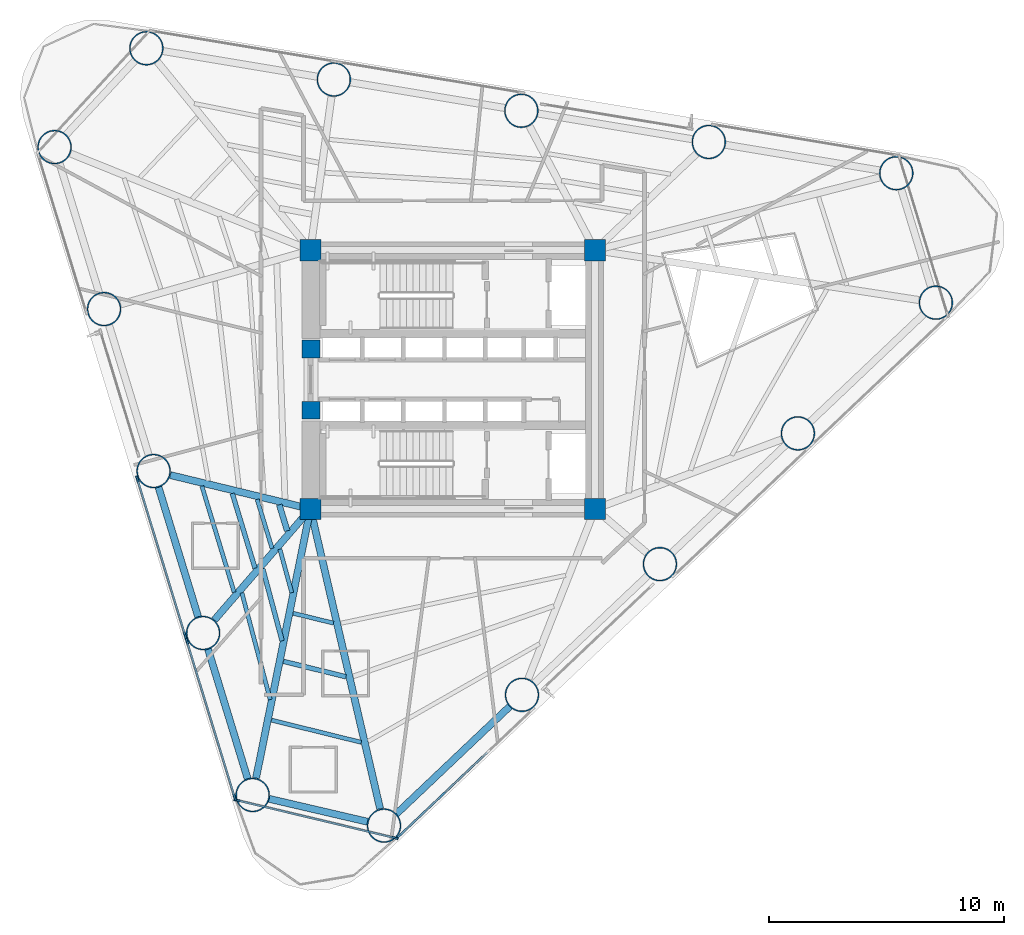
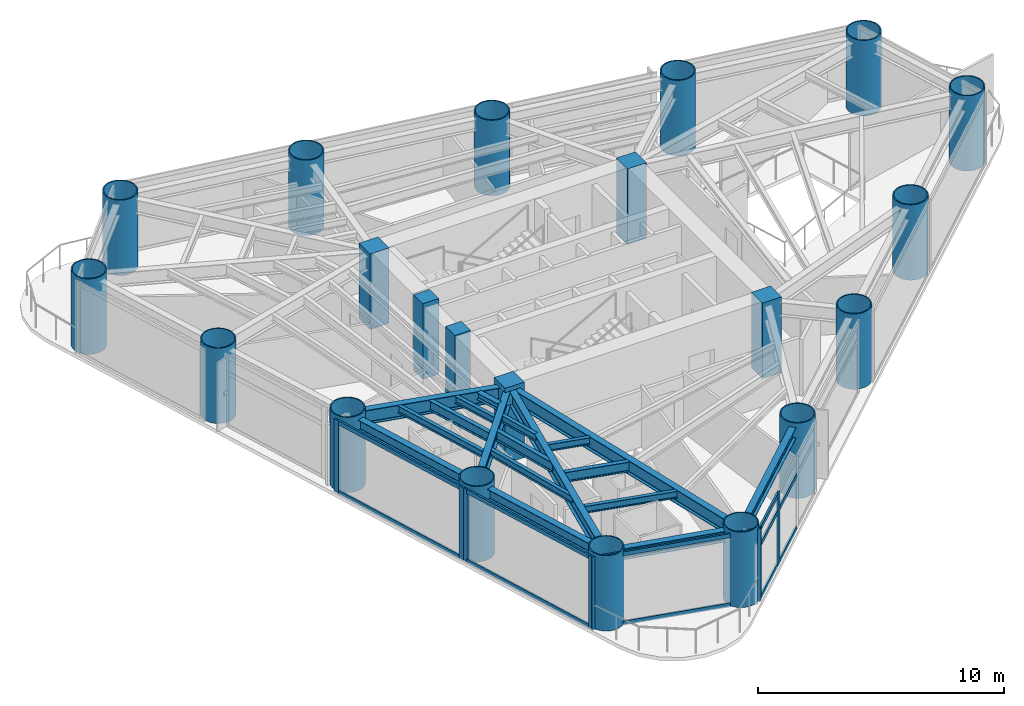
# One storey, part 1 of 10: 21 columns, 19 members, 18 beams, 4 elements without a shape of their own.
"""IFC4 building model written with IfcOpenShell, lengths in metres."""

from ifc_helpers import new_model, si_unit, direction, frame, origin, origin_2d, place, context, subcontext, project, spatial, rectangle, hollow_circle, i_section, extrude, source, transform, mapped, material, layer, layer_set, material_profile, profile_set, type_object, element, aggregate, save


model = new_model("IFC4")

# Units and contexts
model_context = context("Model", 3, precision=1e-05, world=origin(), true_north=direction((0.0, 1.0)))
body_context = subcontext(model_context, "Body", "Model", "MODEL_VIEW")
ifc_project = project(units=[si_unit("LENGTHUNIT", "METRE"), si_unit("AREAUNIT", "SQUARE_METRE"), si_unit("VOLUMEUNIT", "CUBIC_METRE"), si_unit("PLANEANGLEUNIT", "RADIAN"), si_unit("MASSUNIT", "GRAM", prefix="KILO")], contexts=[model_context])

# Site, building, storey
site_placement = place(None, origin())
site = spatial("IfcSite", under=ifc_project, at=site_placement, CompositionType="ELEMENT")
building_placement = place(site_placement, origin())
building = spatial("IfcBuilding", under=site, at=building_placement, Name="Yunling Apex Tower", CompositionType="ELEMENT")
storey_placement = place(building_placement, frame((0.0, 0.0, 116.14990234375)))
storey = spatial("IfcBuildingStorey", under=building, at=storey_placement, Name="L29", CompositionType="ELEMENT", Elevation=116.14990234375)

# Columns
ifc_material_1 = material(Name="Concrete C60", Category="concrete")
ifc_material_profile_1 = material_profile(ifc_material_1, rectangle(XDim=0.89990234375, YDim=0.89990234375, at=origin_2d()))
ifc_profile_set_1 = profile_set([ifc_material_profile_1], Name="Concrete C60")
column_type_1 = type_object("IfcColumnType", Name="PC-SRC-3", PredefinedType="COLUMN", material=ifc_profile_set_1)
shared_shape_1 = source(origin(), body_context, "Body", "SweptSolid", [
    extrude(rectangle(XDim=0.89990234375, YDim=0.89990234375, at=origin_2d()), origin(), (0.0, 0.0, 1.0), 3.75),
])
for number, where, z_axis, x_axis, name in (
    (1, (-6.050048828125, -5.5, 0.0), (0.0, 0.0, 1.0), (1.0, 0.0, 0.0), "L29 Core Spine Column CC-SW"),
    (2, (6.050048828125, -5.5, 0.0), (0.0, 0.0, 1.0), (1.0, 0.0, 0.0), "L29 Core Spine Column CC-SE"),
    (3, (6.050048828125, 5.5, 0.0), (0.0, 0.0, 1.0), (1.0, 0.0, 0.0), "L29 Core Spine Column CC-NE"),
    (4, (-6.050048828125, 5.5, 0.0), (0.0, 0.0, 1.0), (1.0, 0.0, 0.0), "L29 Core Spine Column CC-NW"),
):
    element("IfcColumn", number, at=place(storey_placement, frame(where, z_axis=z_axis, x_axis=x_axis)), inside=storey, type_object=column_type_1, Name=name, PredefinedType="COLUMN", context=body_context, shape_type="MappedRepresentation", body=[
        mapped(shared_shape_1, transform((0.0, 0.0, 0.0), scale=1.0)),
    ])
ifc_material_2 = material(Name="Concrete C50", Category="concrete")
ifc_material_profile_2 = material_profile(ifc_material_2, rectangle(XDim=0.75, YDim=0.75, at=origin_2d()))
ifc_profile_set_2 = profile_set([ifc_material_profile_2], Name="Concrete C50")
column_type_2 = type_object("IfcColumnType", Name="PC-SRC-4", PredefinedType="COLUMN", material=ifc_profile_set_2)
shared_shape_2 = source(origin(), body_context, "Body", "SweptSolid", [
    extrude(rectangle(XDim=0.75, YDim=0.75, at=origin_2d()), origin(), (0.0, 0.0, 1.0), 3.75),
])
for number, where, z_axis, x_axis, name in (
    (5, (-6.02490234375, -1.300048828125, 0.0), (0.0, 0.0, 1.0), (1.0, 0.0, 0.0), "L29 Core West Portal Jamb Column S"),
    (6, (-6.02490234375, 1.300048828125, 0.0), (0.0, 0.0, 1.0), (1.0, 0.0, 0.0), "L29 Core West Portal Jamb Column N"),
):
    element("IfcColumn", number, at=place(storey_placement, frame(where, z_axis=z_axis, x_axis=x_axis)), inside=storey, type_object=column_type_2, Name=name, PredefinedType="COLUMN", context=body_context, shape_type="MappedRepresentation", body=[
        mapped(shared_shape_2, transform((0.0, 0.0, 0.0), scale=1.0)),
    ])
ifc_material_3 = material(Name="Steel Q390GJC", Category="steel")
ifc_material_profile_3 = material_profile(ifc_material_3, hollow_circle(Radius=0.72509765625, WallThickness=0.050048828125, at=origin_2d()))
ifc_profile_set_3 = profile_set([ifc_material_profile_3], Name="Steel Q390GJC")
column_type_3 = type_object("IfcColumnType", Name="MC-CFST-2", PredefinedType="COLUMN", material=ifc_profile_set_3)
shared_shape_3 = source(origin(), body_context, "Body", "SweptSolid", [
    extrude(hollow_circle(Radius=0.72509765625, WallThickness=0.050048828125, at=origin_2d()), origin(), (0.0, 0.0, 1.0), 3.75),
])
for number, where, z_axis, x_axis, name in (
    (7, (-2.92138671875, -18.960205078125, 0.0), (0.0, 0.0, 1.0), (1.0, 0.0, 0.0), "L29 Perimeter CFST Mega-Column P01"),
    (8, (2.943359375, -13.40234375, 0.0), (0.0, 0.0, 1.0), (1.0, 0.0, 0.0), "L29 Perimeter CFST Mega-Column P02"),
    (9, (8.80810546875, -7.8447265625, 0.0), (0.0, 0.0, 1.0), (1.0, 0.0, 0.0), "L29 Perimeter CFST Mega-Column P03"),
    (10, (14.6728515625, -2.287109375, 0.0), (0.0, 0.0, 1.0), (1.0, 0.0, 0.0), "L29 Perimeter CFST Mega-Column P04"),
    (11, (20.53759765625, 3.2705078125, 0.0), (0.0, 0.0, 1.0), (1.0, 0.0, 0.0), "L29 Perimeter CFST Mega-Column P05"),
    (12, (18.855224609375, 8.77294921875, 0.0), (0.0, 0.0, 1.0), (1.0, 0.0, 0.0), "L29 Perimeter CFST Mega-Column P06"),
    (13, (10.88525390625, 10.10107421875, 0.0), (0.0, 0.0, 1.0), (1.0, 0.0, 0.0), "L29 Perimeter CFST Mega-Column P07"),
    (14, (2.915283203125, 11.428955078125, 0.0), (0.0, 0.0, 1.0), (1.0, 0.0, 0.0), "L29 Perimeter CFST Mega-Column P08"),
    (15, (-5.054443359375, 12.757080078125, 0.0), (0.0, 0.0, 1.0), (1.0, 0.0, 0.0), "L29 Perimeter CFST Mega-Column P09"),
    (16, (-13.0244140625, 14.0849609375, 0.0), (0.0, 0.0, 1.0), (1.0, 0.0, 0.0), "L29 Perimeter CFST Mega-Column P10"),
    (17, (-16.927490234375, 9.88330078125, 0.0), (0.0, 0.0, 1.0), (1.0, 0.0, 0.0), "L29 Perimeter CFST Mega-Column P11"),
    (18, (-14.822509765625, 2.99755859375, 0.0), (0.0, 0.0, 1.0), (1.0, 0.0, 0.0), "L29 Perimeter CFST Mega-Column P12"),
    (19, (-12.71728515625, -3.887939453125, 0.0), (0.0, 0.0, 1.0), (1.0, 0.0, 0.0), "L29 Perimeter CFST Mega-Column P13"),
    (20, (-10.612060546875, -10.773681640625, 0.0), (0.0, 0.0, 1.0), (1.0, 0.0, 0.0), "L29 Perimeter CFST Mega-Column P14"),
    (21, (-8.5068359375, -17.6591796875, 0.0), (0.0, 0.0, 1.0), (1.0, 0.0, 0.0), "L29 Perimeter CFST Mega-Column P15"),
):
    element("IfcColumn", number, at=place(storey_placement, frame(where, z_axis=z_axis, x_axis=x_axis)), inside=storey, type_object=column_type_3, Name=name, PredefinedType="COLUMN", context=body_context, shape_type="MappedRepresentation", body=[
        mapped(shared_shape_3, transform((0.0, 0.0, 0.0), scale=1.0)),
    ])

# Beams
ifc_material_4 = material(Name="Steel Q355B", Category="steel")
ifc_material_profile_4 = material_profile(ifc_material_4, i_section(OverallWidth=0.300048828125, OverallDepth=0.5400390625, WebThickness=0.011962890625, FlangeThickness=0.02001953125, FilletRadius=0.02392578125, at=origin_2d()))
ifc_profile_set_4 = profile_set([ifc_material_profile_4], Name="Steel Q355B")
beam_type_1 = type_object("IfcBeamType", Name="BP-SPN-1", PredefinedType="SPANDREL", material=ifc_profile_set_4)
shared_shape_4 = source(origin(), body_context, "Body", "SweptSolid", [
    extrude(i_section(OverallWidth=0.300048828125, OverallDepth=0.5400390625, WebThickness=0.011962890625, FlangeThickness=0.02001953125, FilletRadius=0.02392578125, at=origin_2d()), origin(), (0.0, 0.0, 1.0), 6.6416015625),
])
beam_1_placement = place(storey_placement, frame((-2.3994140625, -18.465576171875, 3.260009765625), z_axis=(0.725837728974, 0.68786596892, 0.0), x_axis=(-0.68786596892, 0.725837728974, 0.0)))
element("IfcBeam", 22, at=beam_1_placement, inside=storey, type_object=beam_type_1, Name="L29 Perimeter Spandrel Beam 1", PredefinedType="SPANDREL", context=body_context, shape_type="MappedRepresentation", body=[
    mapped(shared_shape_4, transform((0.0, 0.0, 0.0), scale=1.0)),
])
shared_shape_5 = source(origin(), body_context, "Body", "SweptSolid", [
    extrude(i_section(OverallWidth=0.300048828125, OverallDepth=0.5400390625, WebThickness=0.011962890625, FlangeThickness=0.02001953125, FilletRadius=0.02392578125, at=origin_2d()), origin(), (0.0, 0.0, 1.0), 5.76220703125),
])
for number, where, z_axis, x_axis, name in (
    (23, (-12.507080078125, -4.57568359375, 3.260009765625), (0.292385374143, -0.956300576695, 0.0), (0.956300576695, 0.292385374143, 0.0), "L29 Perimeter Spandrel Beam 13"),
    (24, (-10.40185546875, -11.461181640625, 3.260009765625), (0.292385374143, -0.956300576695, 0.0), (0.956300576695, 0.292385374143, 0.0), "L29 Perimeter Spandrel Beam 14"),
):
    element("IfcBeam", number, at=place(storey_placement, frame(where, z_axis=z_axis, x_axis=x_axis)), inside=storey, type_object=beam_type_1, Name=name, PredefinedType="SPANDREL", context=body_context, shape_type="MappedRepresentation", body=[
        mapped(shared_shape_5, transform((0.0, 0.0, 0.0), scale=1.0)),
    ])
shared_shape_6 = source(origin(), body_context, "Body", "SweptSolid", [
    extrude(i_section(OverallWidth=0.300048828125, OverallDepth=0.5400390625, WebThickness=0.011962890625, FlangeThickness=0.02001953125, FilletRadius=0.02392578125, at=origin_2d()), origin(), (0.0, 0.0, 1.0), 4.297119140625),
])
beam_2_placement = place(storey_placement, frame((-7.806640625, -17.822509765625, 3.260009765625), z_axis=(0.973939184954, -0.226809312002, 0.0), x_axis=(0.226809312002, 0.973939184954, 0.0)))
element("IfcBeam", 25, at=beam_2_placement, inside=storey, type_object=beam_type_1, Name="L29 Perimeter Spandrel Beam 15", PredefinedType="SPANDREL", context=body_context, shape_type="MappedRepresentation", body=[
    mapped(shared_shape_6, transform((0.0, 0.0, 0.0), scale=1.0)),
])
ifc_material_profile_5 = material_profile(ifc_material_4, i_section(OverallWidth=0.300048828125, OverallDepth=0.699951171875, WebThickness=0.012939453125, FlangeThickness=0.02392578125, FilletRadius=0.02587890625, at=origin_2d()))
ifc_profile_set_5 = profile_set([ifc_material_profile_5], Name="Steel Q355B")
beam_type_2 = type_object("IfcBeamType", Name="BG-PRI-3", PredefinedType="USERDEFINED", material=ifc_profile_set_5)
shared_shape_7 = source(origin(), body_context, "Body", "SweptSolid", [
    extrude(i_section(OverallWidth=0.300048828125, OverallDepth=0.699951171875, WebThickness=0.012939453125, FlangeThickness=0.02392578125, FilletRadius=0.02587890625, at=origin_2d()), origin(), (0.0, 0.0, 1.0), 13.005859375),
])
beam_3_placement = place(storey_placement, frame((-3.08740234375, -18.24609375, 3.18017578125), z_axis=(-0.226402915749, 0.974033736449, 0.0), x_axis=(-0.974033736449, -0.226402915749, 0.0)))
element("IfcBeam", 26, at=beam_3_placement, inside=storey, type_object=beam_type_2, Name="L29 Radial Primary Girder R01", ObjectType="GIRDER", PredefinedType="USERDEFINED", context=body_context, shape_type="MappedRepresentation", body=[
    mapped(shared_shape_7, transform((0.0, 0.0, 0.0), scale=1.0)),
])
shared_shape_8 = source(origin(), body_context, "Body", "SweptSolid", [
    extrude(i_section(OverallWidth=0.300048828125, OverallDepth=0.699951171875, WebThickness=0.012939453125, FlangeThickness=0.02392578125, FilletRadius=0.02587890625, at=origin_2d()), origin(), (0.0, 0.0, 1.0), 6.046630859375),
])
beam_4_placement = place(storey_placement, frame((-12.0048828125, -4.060302734375, 3.18017578125), z_axis=(0.971996717199, -0.234994429199, 0.0), x_axis=(0.234994429199, 0.971996717199, 0.0)))
element("IfcBeam", 27, at=beam_4_placement, inside=storey, type_object=beam_type_2, Name="L29 Radial Primary Girder R13", ObjectType="GIRDER", PredefinedType="USERDEFINED", context=body_context, shape_type="MappedRepresentation", body=[
    mapped(shared_shape_8, transform((0.0, 0.0, 0.0), scale=1.0)),
])
shared_shape_9 = source(origin(), body_context, "Body", "SweptSolid", [
    extrude(i_section(OverallWidth=0.300048828125, OverallDepth=0.699951171875, WebThickness=0.012939453125, FlangeThickness=0.02392578125, FilletRadius=0.02587890625, at=origin_2d()), origin(), (0.0, 0.0, 1.0), 6.16015625),
])
beam_5_placement = place(storey_placement, frame((-10.132568359375, -10.21923828125, 3.18017578125), z_axis=(0.654257326822, 0.756272008142, 0.0), x_axis=(-0.756272008142, 0.654257326822, 0.0)))
element("IfcBeam", 28, at=beam_5_placement, inside=storey, type_object=beam_type_2, Name="L29 Radial Primary Girder R14", ObjectType="GIRDER", PredefinedType="USERDEFINED", context=body_context, shape_type="MappedRepresentation", body=[
    mapped(shared_shape_9, transform((0.0, 0.0, 0.0), scale=1.0)),
])
shared_shape_10 = source(origin(), body_context, "Body", "SweptSolid", [
    extrude(i_section(OverallWidth=0.300048828125, OverallDepth=0.699951171875, WebThickness=0.012939453125, FlangeThickness=0.02392578125, FilletRadius=0.02587890625, at=origin_2d()), origin(), (0.0, 0.0, 1.0), 11.59228515625),
])
beam_6_placement = place(storey_placement, frame((-8.36181640625, -16.94091796875, 3.18017578125), z_axis=(0.198055775124, 0.980190751813, 0.0), x_axis=(-0.980190751813, 0.198055775124, 0.0)))
element("IfcBeam", 29, at=beam_6_placement, inside=storey, type_object=beam_type_2, Name="L29 Radial Primary Girder R15", ObjectType="GIRDER", PredefinedType="USERDEFINED", context=body_context, shape_type="MappedRepresentation", body=[
    mapped(shared_shape_10, transform((0.0, 0.0, 0.0), scale=1.0)),
])
ifc_material_profile_6 = material_profile(ifc_material_4, i_section(OverallWidth=0.199951171875, OverallDepth=0.5, WebThickness=0.010009765625, FlangeThickness=0.01611328125, FilletRadius=0.02001953125, at=origin_2d()))
ifc_profile_set_6 = profile_set([ifc_material_profile_6], Name="Steel Q355B")
beam_type_3 = type_object("IfcBeamType", Name="BS-SEC-2", PredefinedType="BEAM", material=ifc_profile_set_6)
shared_shape_11 = source(origin(), body_context, "Body", "SweptSolid", [
    extrude(i_section(OverallWidth=0.199951171875, OverallDepth=0.5, WebThickness=0.010009765625, FlangeThickness=0.01611328125, FilletRadius=0.02001953125, at=origin_2d()), origin(), (0.0, 0.0, 1.0), 3.321533203125),
])
beam_7_placement = place(storey_placement, frame((-9.372314453125, -4.838623046875, 3.280029296875), z_axis=(0.291000743066, -0.956722826912, 0.0), x_axis=(0.956722826912, 0.291000743066, 0.0)))
element("IfcBeam", 30, at=beam_7_placement, inside=storey, type_object=beam_type_3, Name="L29 Composite Floor Beam BS-13", PredefinedType="BEAM", context=body_context, shape_type="MappedRepresentation", body=[
    mapped(shared_shape_11, transform((0.0, 0.0, 0.0), scale=1.0)),
])
ifc_material_profile_7 = material_profile(ifc_material_4, i_section(OverallWidth=0.175048828125, OverallDepth=0.35009765625, WebThickness=0.007080078125, FlangeThickness=0.010986328125, FilletRadius=0.013916015625, at=origin_2d()))
ifc_profile_set_7 = profile_set([ifc_material_profile_7], Name="Steel Q355B")
beam_type_4 = type_object("IfcBeamType", Name="BJ-JST-1", PredefinedType="JOIST", material=ifc_profile_set_7)
shared_shape_12 = source(origin(), body_context, "Body", "SweptSolid", [
    extrude(i_section(OverallWidth=0.175048828125, OverallDepth=0.35009765625, WebThickness=0.007080078125, FlangeThickness=0.010986328125, FilletRadius=0.013916015625, at=origin_2d()), origin(), (0.0, 0.0, 1.0), 4.719482421875),
])
beam_8_placement = place(storey_placement, frame((-10.665283203125, -4.52587890625, 3.35498046875), z_axis=(0.290881649014, -0.95675904295, 0.0), x_axis=(0.95675904295, 0.290881649014, 0.0)))
element("IfcBeam", 31, at=beam_8_placement, inside=storey, type_object=beam_type_4, Name="L29 Composite Floor Joist BJ1-13", PredefinedType="JOIST", context=body_context, shape_type="MappedRepresentation", body=[
    mapped(shared_shape_12, transform((0.0, 0.0, 0.0), scale=1.0)),
])
shared_shape_13 = source(origin(), body_context, "Body", "SweptSolid", [
    extrude(i_section(OverallWidth=0.175048828125, OverallDepth=0.35009765625, WebThickness=0.007080078125, FlangeThickness=0.010986328125, FilletRadius=0.013916015625, at=origin_2d()), origin(), (0.0, 0.0, 1.0), 2.177734375),
])
beam_9_placement = place(storey_placement, frame((-8.314453125, -5.09423828125, 3.35498046875), z_axis=(0.291130389824, -0.956683383425, 0.0), x_axis=(0.956683383425, 0.291130389824, 0.0)))
element("IfcBeam", 32, at=beam_9_placement, inside=storey, type_object=beam_type_4, Name="L29 Composite Floor Joist BJ3-13", PredefinedType="JOIST", context=body_context, shape_type="MappedRepresentation", body=[
    mapped(shared_shape_13, transform((0.0, 0.0, 0.0), scale=1.0)),
])
ifc_material_profile_8 = material_profile(ifc_material_4, i_section(OverallWidth=0.25, OverallDepth=0.340087890625, WebThickness=0.009033203125, FlangeThickness=0.013916015625, FilletRadius=0.01806640625, at=origin_2d()))
ifc_profile_set_8 = profile_set([ifc_material_profile_8], Name="Steel Q355B")
beam_type_5 = type_object("IfcBeamType", Name="BJ-JST-2", PredefinedType="JOIST", material=ifc_profile_set_8)
shared_shape_14 = source(origin(), body_context, "Body", "SweptSolid", [
    extrude(i_section(OverallWidth=0.25, OverallDepth=0.340087890625, WebThickness=0.009033203125, FlangeThickness=0.013916015625, FilletRadius=0.01806640625, at=origin_2d()), origin(), (0.0, 0.0, 1.0), 1.160888671875),
])
beam_10_placement = place(storey_placement, frame((-7.3740234375, -5.32177734375, 3.360107421875), z_axis=(0.291454472577, -0.956584701119, 0.0), x_axis=(0.956584701119, 0.291454472577, 0.0)))
element("IfcBeam", 33, at=beam_10_placement, inside=storey, type_object=beam_type_5, Name="L29 Composite Floor Joist BJ2-13", PredefinedType="JOIST", context=body_context, shape_type="MappedRepresentation", body=[
    mapped(shared_shape_14, transform((0.0, 0.0, 0.0), scale=1.0)),
])
shared_shape_15 = source(origin(), body_context, "Body", "SweptSolid", [
    extrude(i_section(OverallWidth=0.199951171875, OverallDepth=0.5, WebThickness=0.010009765625, FlangeThickness=0.01611328125, FilletRadius=0.02001953125, at=origin_2d()), origin(), (0.0, 0.0, 1.0), 3.168701171875),
])
beam_11_placement = place(storey_placement, frame((-8.075927734375, -8.04443359375, 3.280029296875), z_axis=(0.259033901524, -0.965868230071, 0.0), x_axis=(0.965868230071, 0.259033901524, 0.0)))
element("IfcBeam", 34, at=beam_11_placement, inside=storey, type_object=beam_type_3, Name="L29 Composite Floor Beam BS-14", PredefinedType="BEAM", context=body_context, shape_type="MappedRepresentation", body=[
    mapped(shared_shape_15, transform((0.0, 0.0, 0.0), scale=1.0)),
])
shared_shape_16 = source(origin(), body_context, "Body", "SweptSolid", [
    extrude(i_section(OverallWidth=0.175048828125, OverallDepth=0.35009765625, WebThickness=0.007080078125, FlangeThickness=0.010986328125, FilletRadius=0.013916015625, at=origin_2d()), origin(), (0.0, 0.0, 1.0), 4.69189453125),
])
beam_12_placement = place(storey_placement, frame((-8.962890625, -9.069580078125, 3.35498046875), z_axis=(0.256370213066, -0.966578664079, 0.0), x_axis=(0.966578664079, 0.256370213066, 0.0)))
element("IfcBeam", 35, at=beam_12_placement, inside=storey, type_object=beam_type_4, Name="L29 Composite Floor Joist BJ1-14", PredefinedType="JOIST", context=body_context, shape_type="MappedRepresentation", body=[
    mapped(shared_shape_16, transform((0.0, 0.0, 0.0), scale=1.0)),
])
shared_shape_17 = source(origin(), body_context, "Body", "SweptSolid", [
    extrude(i_section(OverallWidth=0.175048828125, OverallDepth=0.35009765625, WebThickness=0.007080078125, FlangeThickness=0.010986328125, FilletRadius=0.013916015625, at=origin_2d()), origin(), (0.0, 0.0, 1.0), 1.92236328125),
])
beam_13_placement = place(storey_placement, frame((-7.349853515625, -7.205810546875, 3.35498046875), z_axis=(0.263783616245, -0.964581880299, 0.0), x_axis=(0.964581880299, 0.263783616245, 0.0)))
element("IfcBeam", 36, at=beam_13_placement, inside=storey, type_object=beam_type_4, Name="L29 Composite Floor Joist BJ3-14", PredefinedType="JOIST", context=body_context, shape_type="MappedRepresentation", body=[
    mapped(shared_shape_17, transform((0.0, 0.0, 0.0), scale=1.0)),
])
shared_shape_18 = source(origin(), body_context, "Body", "SweptSolid", [
    extrude(i_section(OverallWidth=0.199951171875, OverallDepth=0.5, WebThickness=0.010009765625, FlangeThickness=0.01611328125, FilletRadius=0.02001953125, at=origin_2d()), origin(), (0.0, 0.0, 1.0), 2.737060546875),
])
beam_14_placement = place(storey_placement, frame((-7.196044921875, -11.9794921875, 3.280029296875), z_axis=(0.971007234619, -0.239050100016, 0.0), x_axis=(0.239050100016, 0.971007234619, 0.0)))
element("IfcBeam", 37, at=beam_14_placement, inside=storey, type_object=beam_type_3, Name="L29 Composite Floor Beam BS-15", PredefinedType="BEAM", context=body_context, shape_type="MappedRepresentation", body=[
    mapped(shared_shape_18, transform((0.0, 0.0, 0.0), scale=1.0)),
])
shared_shape_19 = source(origin(), body_context, "Body", "SweptSolid", [
    extrude(i_section(OverallWidth=0.175048828125, OverallDepth=0.35009765625, WebThickness=0.007080078125, FlangeThickness=0.010986328125, FilletRadius=0.013916015625, at=origin_2d()), origin(), (0.0, 0.0, 1.0), 3.925537109375),
])
beam_15_placement = place(storey_placement, frame((-7.701416015625, -14.4794921875, 3.35498046875), z_axis=(0.970833614746, -0.239754233494, 0.0), x_axis=(0.239754233494, 0.970833614746, 0.0)))
element("IfcBeam", 38, at=beam_15_placement, inside=storey, type_object=beam_type_4, Name="L29 Composite Floor Joist BJ1-15", PredefinedType="JOIST", context=body_context, shape_type="MappedRepresentation", body=[
    mapped(shared_shape_19, transform((0.0, 0.0, 0.0), scale=1.0)),
])
shared_shape_20 = source(origin(), body_context, "Body", "SweptSolid", [
    extrude(i_section(OverallWidth=0.175048828125, OverallDepth=0.35009765625, WebThickness=0.007080078125, FlangeThickness=0.010986328125, FilletRadius=0.013916015625, at=origin_2d()), origin(), (0.0, 0.0, 1.0), 1.764892578125),
])
beam_16_placement = place(storey_placement, frame((-6.78271484375, -9.93408203125, 3.35498046875), z_axis=(0.971318830932, -0.237780841694, 0.0), x_axis=(0.237780841694, 0.971318830932, 0.0)))
element("IfcBeam", 39, at=beam_16_placement, inside=storey, type_object=beam_type_4, Name="L29 Composite Floor Joist BJ3-15", PredefinedType="JOIST", context=body_context, shape_type="MappedRepresentation", body=[
    mapped(shared_shape_20, transform((0.0, 0.0, 0.0), scale=1.0)),
])

# Curtain wall, members
ifc_material_5 = material(Name="Bronze anodised aluminium", Category="aluminium")
ifc_layer = layer(ifc_material_5, 0.260009765625)
ifc_layer_set = layer_set([ifc_layer], Name="Bronze anodised aluminium")
curtain_wall_type = type_object("IfcCurtainWallType", Name="CW-SYS-2", PredefinedType="NOTDEFINED", material=ifc_layer_set)
curtain_wall_1_placement = place(storey_placement, origin())
curtain_wall_1 = element("IfcCurtainWall", 40, at=curtain_wall_1_placement, inside=storey, type_object=curtain_wall_type, Name="CW-L29-F1-B1", PredefinedType="NOTDEFINED")
ifc_material_profile_9 = material_profile(ifc_material_5, rectangle(XDim=0.0849609375, YDim=0.260009765625, at=origin_2d()))
ifc_profile_set_9 = profile_set([ifc_material_profile_9], Name="Bronze anodised aluminium")
member_type_1 = type_object("IfcMemberType", Name="CW-MUL-2", PredefinedType="MULLION", material=ifc_profile_set_9)
shared_shape_21 = source(origin(), body_context, "Body", "SweptSolid", [
    extrude(rectangle(XDim=0.0849609375, YDim=0.260009765625, at=origin_2d()), origin(), (0.0, 0.0, 1.0), 3.6298828125),
])
member_1_placement = place(storey_placement, frame((-2.3095703125, -19.427490234375, -0.0498046875), z_axis=(0.0, 0.0, 1.0), x_axis=(-0.687861264918, 0.72584218686, 0.0)))
member_1 = element("IfcMember", 41, at=member_1_placement, type_object=member_type_1, Name="CW-SYS-2 mullion 1", PredefinedType="MULLION", context=body_context, shape_type="MappedRepresentation", body=[
    mapped(shared_shape_21, transform((0.0, 0.0, 0.0), scale=1.0)),
])
member_2_placement = place(storey_placement, frame((-0.42431640625, -17.640869140625, -0.0498046875), z_axis=(0.0, 0.0, 1.0), x_axis=(-0.687861264918, 0.72584218686, 0.0)))
member_2 = element("IfcMember", 42, at=member_2_placement, type_object=member_type_1, Name="CW-SYS-2 mullion 2", PredefinedType="MULLION", context=body_context, shape_type="MappedRepresentation", body=[
    mapped(shared_shape_21, transform((0.0, 0.0, 0.0), scale=1.0)),
])

curtain_wall_2_placement = place(storey_placement, origin())
curtain_wall_2 = element("IfcCurtainWall", 43, at=curtain_wall_2_placement, inside=storey, type_object=curtain_wall_type, Name="CW-L29-F3-B3", PredefinedType="NOTDEFINED")
member_3_placement = place(storey_placement, frame((-13.408203125, -4.227294921875, -0.0498046875), z_axis=(0.0, 0.0, 1.0), x_axis=(0.956304476342, 0.292372619321, 0.0)))
member_3 = element("IfcMember", 44, at=member_3_placement, type_object=member_type_1, Name="CW-SYS-2 mullion 1", PredefinedType="MULLION", context=body_context, shape_type="MappedRepresentation", body=[
    mapped(shared_shape_21, transform((0.0, 0.0, 0.0), scale=1.0)),
])
member_4_placement = place(storey_placement, frame((-11.374755859375, -10.878662109375, -0.0498046875), z_axis=(0.0, 0.0, 1.0), x_axis=(0.956304476342, 0.292372619321, 0.0)))
member_4 = element("IfcMember", 45, at=member_4_placement, type_object=member_type_1, Name="CW-SYS-2 mullion 2", PredefinedType="MULLION", context=body_context, shape_type="MappedRepresentation", body=[
    mapped(shared_shape_21, transform((0.0, 0.0, 0.0), scale=1.0)),
])

curtain_wall_3_placement = place(storey_placement, origin())
curtain_wall_3 = element("IfcCurtainWall", 46, at=curtain_wall_3_placement, inside=storey, type_object=curtain_wall_type, Name="CW-L29-F3-B4", PredefinedType="NOTDEFINED")
member_5_placement = place(storey_placement, frame((-11.302978515625, -11.113037109375, -0.0498046875), z_axis=(0.0, 0.0, 1.0), x_axis=(0.956304476342, 0.292372619321, 0.0)))
member_5 = element("IfcMember", 47, at=member_5_placement, type_object=member_type_1, Name="CW-SYS-2 mullion 1", PredefinedType="MULLION", context=body_context, shape_type="MappedRepresentation", body=[
    mapped(shared_shape_21, transform((0.0, 0.0, 0.0), scale=1.0)),
])
member_6_placement = place(storey_placement, frame((-9.26953125, -17.764404296875, -0.0498046875), z_axis=(0.0, 0.0, 1.0), x_axis=(0.956304476342, 0.292372619321, 0.0)))
member_6 = element("IfcMember", 48, at=member_6_placement, type_object=member_type_1, Name="CW-SYS-2 mullion 2", PredefinedType="MULLION", context=body_context, shape_type="MappedRepresentation", body=[
    mapped(shared_shape_21, transform((0.0, 0.0, 0.0), scale=1.0)),
])

curtain_wall_4_placement = place(storey_placement, origin())
curtain_wall_4 = element("IfcCurtainWall", 49, at=curtain_wall_4_placement, inside=storey, type_object=curtain_wall_type, Name="CW-L29-CRN3", PredefinedType="NOTDEFINED")
member_7_placement = place(storey_placement, frame((-9.17333984375, -17.885498046875, -0.0498046875), z_axis=(0.0, 0.0, 1.0), x_axis=(0.23189504865, 0.972740811528, 0.0)))
member_7 = element("IfcMember", 50, at=member_7_placement, type_object=member_type_1, Name="CW-SYS-2 mullion 1", PredefinedType="MULLION", context=body_context, shape_type="MappedRepresentation", body=[
    mapped(shared_shape_21, transform((0.0, 0.0, 0.0), scale=1.0)),
])
member_8_placement = place(storey_placement, frame((-2.453857421875, -19.487548828125, -0.0498046875), z_axis=(0.0, 0.0, 1.0), x_axis=(0.23189504865, 0.972740811528, 0.0)))
member_8 = element("IfcMember", 51, at=member_8_placement, type_object=member_type_1, Name="CW-SYS-2 mullion 2", PredefinedType="MULLION", context=body_context, shape_type="MappedRepresentation", body=[
    mapped(shared_shape_21, transform((0.0, 0.0, 0.0), scale=1.0)),
])

# Member
ifc_material_profile_10 = material_profile(ifc_material_5, rectangle(XDim=0.0849609375, YDim=0.199951171875, at=origin_2d()))
ifc_profile_set_10 = profile_set([ifc_material_profile_10], Name="Bronze anodised aluminium")
member_type_2 = type_object("IfcMemberType", Name="CW-TRN-2", PredefinedType="USERDEFINED", material=ifc_profile_set_10)
shared_shape_22 = source(origin(), body_context, "Body", "SweptSolid", [
    extrude(rectangle(XDim=0.0849609375, YDim=0.199951171875, at=origin_2d()), origin(), (0.0, 0.0, 1.0), 2.52099609375),
])
member_9_placement = place(storey_placement, frame((-2.281982421875, -19.4013671875, 0.04248046875), z_axis=(0.725833069148, 0.687870885945, 0.0), x_axis=(-0.687870885945, 0.725833069148, 0.0)))
member_9 = element("IfcMember", 52, at=member_9_placement, type_object=member_type_2, Name="CW-SYS-2 transom 1.1", ObjectType="TRANSOM", PredefinedType="USERDEFINED", context=body_context, shape_type="MappedRepresentation", body=[
    mapped(shared_shape_22, transform((0.0, 0.0, 0.0), scale=1.0)),
])

member_10_placement = place(storey_placement, frame((-2.281982421875, -19.4013671875, 2.682861328125), z_axis=(0.725833069148, 0.687870885945, 0.0), x_axis=(-0.687870885945, 0.725833069148, 0.0)))
member_10 = element("IfcMember", 53, at=member_10_placement, type_object=member_type_2, Name="CW-SYS-2 transom 1.2", ObjectType="TRANSOM", PredefinedType="USERDEFINED", context=body_context, shape_type="MappedRepresentation", body=[
    mapped(shared_shape_22, transform((0.0, 0.0, 0.0), scale=1.0)),
])

member_11_placement = place(storey_placement, frame((-2.281982421875, -19.4013671875, 3.487548828125), z_axis=(0.725833069148, 0.687870885945, 0.0), x_axis=(-0.687870885945, 0.725833069148, 0.0)))
member_11 = element("IfcMember", 54, at=member_11_placement, type_object=member_type_2, Name="CW-SYS-2 transom 1.3", ObjectType="TRANSOM", PredefinedType="USERDEFINED", context=body_context, shape_type="MappedRepresentation", body=[
    mapped(shared_shape_22, transform((0.0, 0.0, 0.0), scale=1.0)),
])

shared_shape_23 = source(origin(), body_context, "Body", "SweptSolid", [
    extrude(rectangle(XDim=0.0849609375, YDim=0.199951171875, at=origin_2d()), origin(), (0.0, 0.0, 1.0), 2.563232421875),
])
member_12_placement = place(storey_placement, frame((-0.396484375, -17.614501953125, 0.04248046875), z_axis=(0.725852566003, 0.687850312515, 0.0), x_axis=(-0.687850312515, 0.725852566003, 0.0)))
member_12 = element("IfcMember", 55, at=member_12_placement, type_object=member_type_2, Name="CW-SYS-2 transom 2.1", ObjectType="TRANSOM", PredefinedType="USERDEFINED", context=body_context, shape_type="MappedRepresentation", body=[
    mapped(shared_shape_23, transform((0.0, 0.0, 0.0), scale=1.0)),
])

member_13_placement = place(storey_placement, frame((-0.396484375, -17.614501953125, 2.682861328125), z_axis=(0.725852566003, 0.687850312515, 0.0), x_axis=(-0.687850312515, 0.725852566003, 0.0)))
member_13 = element("IfcMember", 56, at=member_13_placement, type_object=member_type_2, Name="CW-SYS-2 transom 2.2", ObjectType="TRANSOM", PredefinedType="USERDEFINED", context=body_context, shape_type="MappedRepresentation", body=[
    mapped(shared_shape_23, transform((0.0, 0.0, 0.0), scale=1.0)),
])

aggregate(curtain_wall_1, [member_1, member_2, member_9, member_10, member_11, member_12, member_13])

shared_shape_24 = source(origin(), body_context, "Body", "SweptSolid", [
    extrude(rectangle(XDim=0.0849609375, YDim=0.199951171875, at=origin_2d()), origin(), (0.0, 0.0, 1.0), 6.831298828125),
])
member_14_placement = place(storey_placement, frame((-9.135986328125, -17.89453125, 0.04248046875), z_axis=(0.972745593735, -0.231874987587, 0.0), x_axis=(0.231874987587, 0.972745593735, 0.0)))
member_14 = element("IfcMember", 57, at=member_14_placement, type_object=member_type_2, Name="CW-SYS-2 transom 1.1", ObjectType="TRANSOM", PredefinedType="USERDEFINED", context=body_context, shape_type="MappedRepresentation", body=[
    mapped(shared_shape_24, transform((0.0, 0.0, 0.0), scale=1.0)),
])

member_15_placement = place(storey_placement, frame((-9.135986328125, -17.89453125, 3.487548828125), z_axis=(0.972745593735, -0.231874987587, 0.0), x_axis=(0.231874987587, 0.972745593735, 0.0)))
member_15 = element("IfcMember", 58, at=member_15_placement, type_object=member_type_2, Name="CW-SYS-2 transom 1.2", ObjectType="TRANSOM", PredefinedType="USERDEFINED", context=body_context, shape_type="MappedRepresentation", body=[
    mapped(shared_shape_24, transform((0.0, 0.0, 0.0), scale=1.0)),
])

aggregate(curtain_wall_4, [member_7, member_8, member_14, member_15])

shared_shape_25 = source(origin(), body_context, "Body", "SweptSolid", [
    extrude(rectangle(XDim=0.0849609375, YDim=0.199951171875, at=origin_2d()), origin(), (0.0, 0.0, 1.0), 6.878662109375),
])
member_16_placement = place(storey_placement, frame((-11.2919921875, -11.149658203125, 0.04248046875), z_axis=(0.29238444517, -0.956300860725, 0.0), x_axis=(0.956300860725, 0.29238444517, 0.0)))
member_16 = element("IfcMember", 59, at=member_16_placement, type_object=member_type_2, Name="CW-SYS-2 transom 1.1", ObjectType="TRANSOM", PredefinedType="USERDEFINED", context=body_context, shape_type="MappedRepresentation", body=[
    mapped(shared_shape_25, transform((0.0, 0.0, 0.0), scale=1.0)),
])

member_17_placement = place(storey_placement, frame((-11.2919921875, -11.149658203125, 3.487548828125), z_axis=(0.29238444517, -0.956300860725, 0.0), x_axis=(0.956300860725, 0.29238444517, 0.0)))
member_17 = element("IfcMember", 60, at=member_17_placement, type_object=member_type_2, Name="CW-SYS-2 transom 1.2", ObjectType="TRANSOM", PredefinedType="USERDEFINED", context=body_context, shape_type="MappedRepresentation", body=[
    mapped(shared_shape_25, transform((0.0, 0.0, 0.0), scale=1.0)),
])

aggregate(curtain_wall_3, [member_5, member_6, member_16, member_17])

shared_shape_26 = source(origin(), body_context, "Body", "SweptSolid", [
    extrude(rectangle(XDim=0.0849609375, YDim=0.199951171875, at=origin_2d()), origin(), (0.0, 0.0, 1.0), 6.87890625),
])
member_18_placement = place(storey_placement, frame((-13.39697265625, -4.263916015625, 0.04248046875), z_axis=(0.29234206402, -0.956313817533, 0.0), x_axis=(0.956313817533, 0.29234206402, 0.0)))
member_18 = element("IfcMember", 61, at=member_18_placement, type_object=member_type_2, Name="CW-SYS-2 transom 1.1", ObjectType="TRANSOM", PredefinedType="USERDEFINED", context=body_context, shape_type="MappedRepresentation", body=[
    mapped(shared_shape_26, transform((0.0, 0.0, 0.0), scale=1.0)),
])

member_19_placement = place(storey_placement, frame((-13.39697265625, -4.263916015625, 3.487548828125), z_axis=(0.29234206402, -0.956313817533, 0.0), x_axis=(0.956313817533, 0.29234206402, 0.0)))
member_19 = element("IfcMember", 62, at=member_19_placement, type_object=member_type_2, Name="CW-SYS-2 transom 1.2", ObjectType="TRANSOM", PredefinedType="USERDEFINED", context=body_context, shape_type="MappedRepresentation", body=[
    mapped(shared_shape_26, transform((0.0, 0.0, 0.0), scale=1.0)),
])

aggregate(curtain_wall_2, [member_3, member_4, member_18, member_19])

save(model, "model.ifc")
